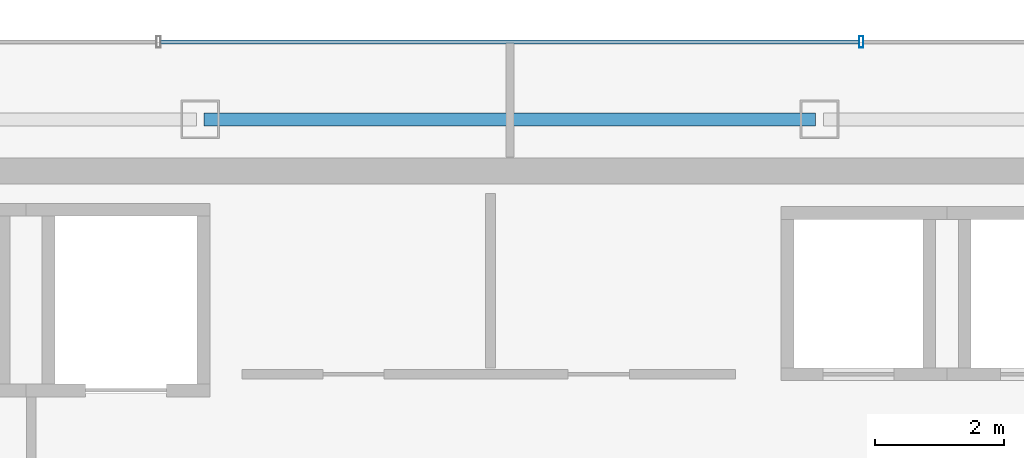
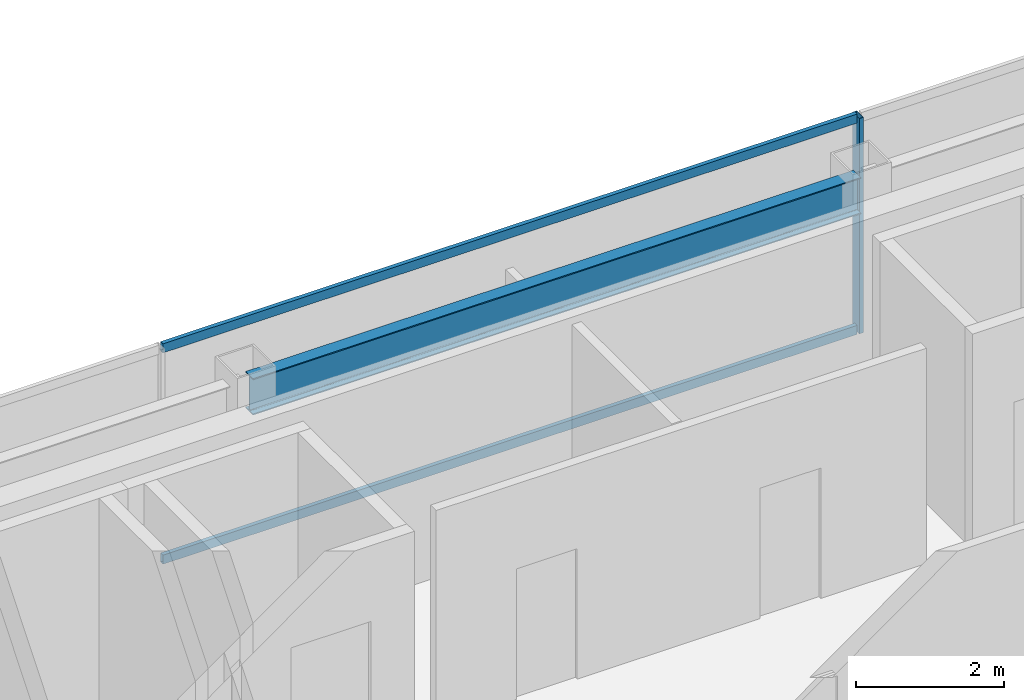
# One storey, part 22 of 32: 3 members, 1 beam, 1 element without a shape of its own.
"""IFC4 building model written with IfcOpenShell, lengths in metres."""

from ifc_helpers import new_model, si_unit, direction, frame, origin, origin_2d, place, context, subcontext, project, spatial, hollow_rectangle, i_section, extrude, material, material_profile, profile_set, type_object, element, aggregate, save


model = new_model("IFC4")

# Units and contexts
model_context = context("Model", 3, precision=1e-05, world=origin(), true_north=direction((0.0, 1.0)))
body_context = subcontext(model_context, "Body", "Model", "MODEL_VIEW")
ifc_project = project(units=[si_unit("LENGTHUNIT", "METRE"), si_unit("AREAUNIT", "SQUARE_METRE"), si_unit("VOLUMEUNIT", "CUBIC_METRE"), si_unit("PLANEANGLEUNIT", "RADIAN"), si_unit("MASSUNIT", "GRAM", prefix="KILO")], contexts=[model_context])

# Site, building, storey
site_placement = place(None, origin())
site = spatial("IfcSite", under=ifc_project, at=site_placement, CompositionType="ELEMENT")
building_placement = place(site_placement, origin())
building = spatial("IfcBuilding", under=site, at=building_placement, Name="Saevonmaru Cultural Tower", CompositionType="ELEMENT")
storey_placement = place(building_placement, frame((0.0, 0.0, 261.0)))
storey = spatial("IfcBuildingStorey", under=building, at=storey_placement, Name="L61", CompositionType="ELEMENT", Elevation=261.0)

# Beam
ifc_material_1 = material(Name="Steel SM355", Category="steel")
ifc_material_profile_1 = material_profile(ifc_material_1, i_section(OverallWidth=0.199951171875, OverallDepth=0.60009765625, WebThickness=0.010986328125, FlangeThickness=0.01708984375, FilletRadius=0.02197265625, at=origin_2d()), Name="H-600x200x11x17")
ifc_profile_set_1 = profile_set([ifc_material_profile_1], Name="Steel SM355")
beam_type = type_object("IfcBeamType", Name="BM-SP-H600", PredefinedType="SPANDREL", material=ifc_profile_set_1)
beam_placement = place(storey_placement, frame((25.260009765625, 54.800048828125, 3.25), z_axis=(1.0, 0.0, 0.0), x_axis=(0.0, 1.0, 0.0)))
element("IfcBeam", 1, at=beam_placement, inside=storey, type_object=beam_type, Name="L61 North Spine Girder 3", PredefinedType="SPANDREL", context=body_context, shape_type="SweptSolid", body=[
    extrude(i_section(OverallWidth=0.199951171875, OverallDepth=0.60009765625, WebThickness=0.010986328125, FlangeThickness=0.01708984375, FilletRadius=0.02197265625, at=origin_2d()), origin(), (0.0, 0.0, 1.0), 9.47998046875),
])

# Curtain wall, members
ifc_material_2 = material(Name="Satin Bronze Anodised Aluminium", Category="aluminium")
curtain_wall_type = type_object("IfcCurtainWallType", Name="CW-TYP-B", PredefinedType="NOTDEFINED", material=ifc_material_2)
curtain_wall_placement = place(storey_placement, origin())
curtain_wall = element("IfcCurtainWall", 2, at=curtain_wall_placement, inside=storey, type_object=curtain_wall_type, Name="L61 North Spine Unitised Curtain Wall E10B", PredefinedType="NOTDEFINED")
ifc_material_profile_2 = material_profile(ifc_material_2, hollow_rectangle(XDim=0.06494140625, YDim=0.179931640625, WallThickness=0.00390625, at=origin_2d()), Name="ALU-MULL-180x65x4")
ifc_profile_set_2 = profile_set([ifc_material_profile_2], Name="Satin Bronze Anodised Aluminium")
member_type_1 = type_object("IfcMemberType", Name="ML-CW-180x65", PredefinedType="MULLION", material=ifc_profile_set_2)
member_1_placement = place(storey_placement, frame((35.44677734375, 56.0, 0.0), z_axis=(0.0, 0.0, 1.0), x_axis=(-1.0, 0.0, 0.0)))
member_1 = element("IfcMember", 3, at=member_1_placement, type_object=member_type_1, Name="CW-TW-L61-E10B mullion 2", PredefinedType="MULLION", context=body_context, shape_type="SweptSolid", body=[
    extrude(hollow_rectangle(XDim=0.06494140625, YDim=0.179931640625, WallThickness=0.00390625, at=origin_2d()), origin(), (0.0, 0.0, 1.0), 3.550048828125),
])
ifc_material_profile_3 = material_profile(ifc_material_2, hollow_rectangle(XDim=0.06494140625, YDim=0.14990234375, WallThickness=0.00390625, at=origin_2d()), Name="ALU-TRAN-150x65x4")
ifc_profile_set_3 = profile_set([ifc_material_profile_3], Name="Satin Bronze Anodised Aluminium")
member_type_2 = type_object("IfcMemberType", Name="TR-CW-150x65", PredefinedType="USERDEFINED", material=ifc_profile_set_3)
member_2_placement = place(storey_placement, frame((35.4140625, 56.0, 0.032470703125), z_axis=(-1.0, 0.0, 0.0), x_axis=(0.0, -1.0, 0.0)))
member_2 = element("IfcMember", 4, at=member_2_placement, type_object=member_type_2, Name="CW-TW-L61-E10B transom 2.1", ObjectType="TRANSOM", PredefinedType="USERDEFINED", context=body_context, shape_type="SweptSolid", body=[
    extrude(hollow_rectangle(XDim=0.06494140625, YDim=0.14990234375, WallThickness=0.00390625, at=origin_2d()), origin(), (0.0, 0.0, 1.0), 10.828125),
])
member_3_placement = place(storey_placement, frame((35.4140625, 56.0, 3.517578125), z_axis=(-1.0, 0.0, 0.0), x_axis=(0.0, -1.0, 0.0)))
member_3 = element("IfcMember", 5, at=member_3_placement, type_object=member_type_2, Name="CW-TW-L61-E10B transom 2.2", ObjectType="TRANSOM", PredefinedType="USERDEFINED", context=body_context, shape_type="SweptSolid", body=[
    extrude(hollow_rectangle(XDim=0.06494140625, YDim=0.14990234375, WallThickness=0.00390625, at=origin_2d()), origin(), (0.0, 0.0, 1.0), 10.828125),
])
aggregate(curtain_wall, [member_1, member_2, member_3])

save(model, "model.ifc")
